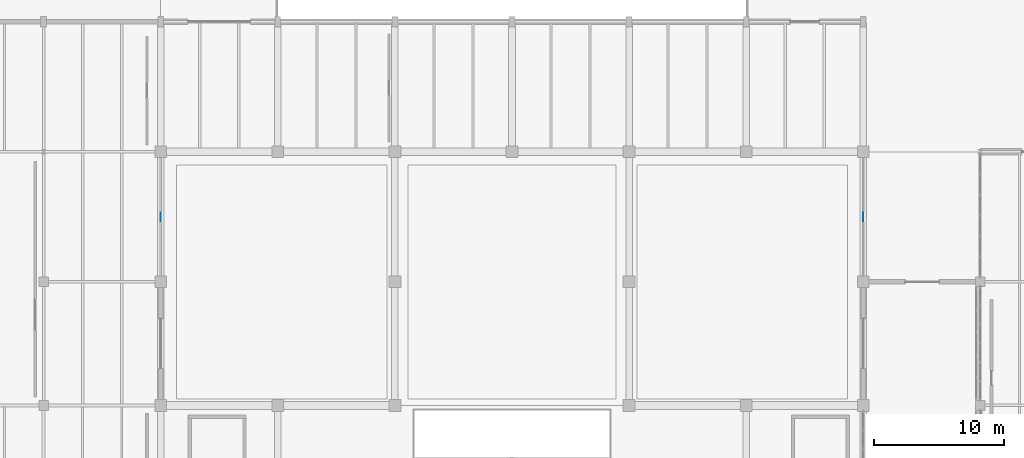
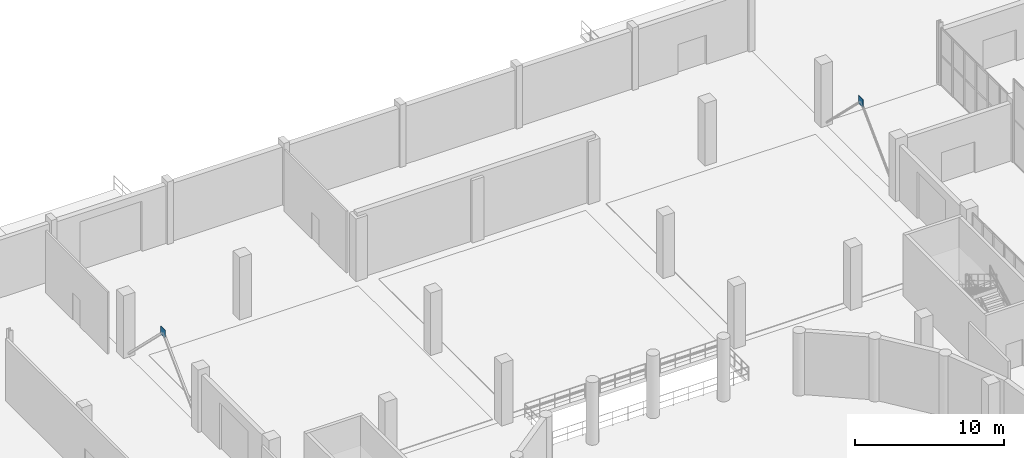
# One storey, part 80 of 103: 2 plates.
"""IFC4 building model written with IfcOpenShell, lengths in metres."""

import ifcopenshell
import ifcopenshell.guid

model = None  # the IFC model being written
_history = None  # IfcOwnerHistory: only IFC2X3 demands one
_inside = {}  # id of a spatial element -> (the spatial element, [elements in it])
_under = {}  # id of a project, library or spatial element -> (it, [spatial elements below it])
_declared = {}  # id of a project -> (the project, [libraries it declares])
_typed = {}  # id of a type object -> (the type object, [elements of that type])
_made_of = {}  # id of a material, layer set ... -> (it, [elements and type objects made of it])


def new_model(schema):
    """Start an empty IFC model of exactly this schema.

    Asked for "IFC4X3", IfcOpenShell would pick the latest addendum, in which some entities
    have other attributes; the version numbers below select the first issue.
    IFC2X3 requires an IfcOwnerHistory on every rooted entity: one is made here for all.
    """
    global model, _history
    if schema == "IFC4X3":
        model = ifcopenshell.file(schema_version=(4, 3, 0, 0))
    else:
        model = ifcopenshell.file(schema=schema)
    _inside.clear()
    _under.clear()
    _declared.clear()
    _typed.clear()
    _made_of.clear()
    _history = None
    if model.schema == "IFC2X3":
        org = make("IfcOrganization", Name="unknown")
        user = make(
            "IfcPersonAndOrganization",
            ThePerson=make("IfcPerson", FamilyName="unknown"),
            TheOrganization=org,
        )
        app = make(
            "IfcApplication",
            ApplicationDeveloper=org,
            Version="unknown",
            ApplicationFullName="unknown",
            ApplicationIdentifier="unknown",
        )
        _history = make(
            "IfcOwnerHistory",
            OwningUser=user,
            OwningApplication=app,
            ChangeAction="ADDED",
            CreationDate=0,
        )
    return model


def make(cls, **values):
    """One entity of the class cls with the attributes given. An attribute that is None is left unset."""
    return model.create_entity(
        cls, **{name: value for name, value in values.items() if value is not None}
    )


def rooted(cls, **values):
    """An entity with a GlobalId (a new one), such as an element, a storey or a relation."""
    return make(cls, GlobalId=ifcopenshell.guid.new(), OwnerHistory=_history, **values)


def si_unit(unit_type, name, prefix=None):
    """IfcSIUnit, for example si_unit("LENGTHUNIT", "METRE", prefix="MILLI")."""
    return make("IfcSIUnit", UnitType=unit_type, Prefix=prefix, Name=name)


def assignment(units):
    """IfcUnitAssignment: the units of a project."""
    return None if units is None else make("IfcUnitAssignment", Units=units)


def point(xyz):
    """IfcCartesianPoint."""
    return None if xyz is None else make("IfcCartesianPoint", Coordinates=xyz)


def direction(xyz):
    """IfcDirection."""
    return None if xyz is None else make("IfcDirection", DirectionRatios=xyz)


def frame(location, z_axis=None, x_axis=None):
    """IfcAxis2Placement3D, a coordinate frame: its origin and axes. An axis left out is left unset."""
    return make(
        "IfcAxis2Placement3D",
        Location=point(location),
        Axis=direction(z_axis),
        RefDirection=direction(x_axis),
    )


def frame_2d(location, x_axis=None):
    """IfcAxis2Placement2D, a coordinate frame in the plane: its origin and x axis."""
    return make(
        "IfcAxis2Placement2D", Location=point(location), RefDirection=direction(x_axis)
    )


def origin():
    """The frame at (0, 0, 0) with its axes left unset."""
    return frame((0.0, 0.0, 0.0))


def origin_2d():
    """The frame at (0, 0) in the plane with its x axis left unset."""
    return frame_2d((0.0, 0.0))


def place(relative_to, where):
    """IfcLocalPlacement: puts the frame where relative to a parent placement (None: the world)."""
    return make(
        "IfcLocalPlacement", PlacementRelTo=relative_to, RelativePlacement=where
    )


def context(
    kind, dimensions, precision=None, world=None, true_north=None, identifier=None
):
    """IfcGeometricRepresentationContext, for example the 3D "Model" context."""
    return make(
        "IfcGeometricRepresentationContext",
        ContextIdentifier=identifier,
        ContextType=kind,
        CoordinateSpaceDimension=dimensions,
        Precision=precision,
        WorldCoordinateSystem=world,
        TrueNorth=true_north,
    )


def subcontext(parent, identifier, kind, view, scale=None):
    """IfcGeometricRepresentationSubContext, for example "Body" below "Model"."""
    return make(
        "IfcGeometricRepresentationSubContext",
        ContextIdentifier=identifier,
        ContextType=kind,
        ParentContext=parent,
        TargetScale=scale,
        TargetView=view,
    )


def project(units=None, contexts=None):
    """IfcProject with its units and contexts."""
    return rooted(
        "IfcProject",
        Name="project",
        RepresentationContexts=contexts,
        UnitsInContext=assignment(units),
    )


def spatial(cls, under=None, at=None, **own):
    """A site, building, storey or space (cls), placed at a placement, below another one or the project."""
    s = rooted(cls, ObjectPlacement=at, **own)
    if under is not None:
        _under.setdefault(under.id(), (under, []))[1].append(s)
    return s


def profile(cls, at=None, kind="AREA", **sizes):
    """A parametric profile (cls). Its sizes go by their IFC names, for example OverallWidth=200.0."""
    return make(cls, ProfileType=kind, Position=at, **sizes)


def rectangle(**sizes):
    """IfcRectangleProfileDef."""
    return profile("IfcRectangleProfileDef", **sizes)


def extrude(swept, where, along, depth):
    """IfcExtrudedAreaSolid: the profile swept, set in the frame where, extruded along a direction by depth."""
    return make(
        "IfcExtrudedAreaSolid",
        SweptArea=swept,
        Position=where,
        ExtrudedDirection=direction(along),
        Depth=depth,
    )


def shape(context_of_items, identifier, shape_type, items):
    """IfcShapeRepresentation: the items that make up one representation, for example the "Body"."""
    return make(
        "IfcShapeRepresentation",
        ContextOfItems=context_of_items,
        RepresentationIdentifier=identifier,
        RepresentationType=shape_type,
        Items=items,
    )


def material(Name=None, Category=None):
    """IfcMaterial."""
    return make("IfcMaterial", Name=Name, Category=Category)


def layer(
    of_material, thickness, ventilated=None, Name=None, Category=None, Priority=None
):
    """IfcMaterialLayer: one layer of a wall or slab, of a material (None: an air gap)."""
    return make(
        "IfcMaterialLayer",
        Material=of_material,
        LayerThickness=thickness,
        IsVentilated=ventilated,
        Name=Name,
        Category=Category,
        Priority=Priority,
    )


def layer_set(layers, Name=None):
    """IfcMaterialLayerSet."""
    return make("IfcMaterialLayerSet", MaterialLayers=layers, LayerSetName=Name)


def made_of(thing, what):
    """Note that an element or type object is made of a material, layer set ...; save() writes the relation."""
    if what is not None:
        _made_of.setdefault(what.id(), (what, []))[1].append(thing)
    return thing


def type_object(cls, material=None, **own):
    """A type object (cls), such as IfcWallType, which elements share."""
    return made_of(rooted(cls, **own), material)


def element(
    cls,
    number,
    at=None,
    inside=None,
    cuts=None,
    type_object=None,
    material=None,
    context=None,
    identifier="Body",
    shape_type=None,
    held_by="IfcProductDefinitionShape",
    body=None,
    shapes=None,
    **own,
):
    """One element of the class cls, such as IfcWall. Its Tag is "e" and its number.

    at: its placement. inside: the storey or other place that contains it. cuts: it is an
    opening in that element (IfcRelVoidsElement). A single representation is given by context,
    identifier, shape_type and body (its items); several are given by shapes. held_by: the class
    of the entity that holds the representations. save() writes the other relations.
    """
    e = rooted(cls, Tag="e%d" % number, ObjectPlacement=at, **own)
    if body is not None:
        shapes = [shape(context, identifier, shape_type, body)]
    if shapes is not None:
        e.Representation = make(held_by, Representations=shapes)
    if inside is not None:
        _inside.setdefault(inside.id(), (inside, []))[1].append(e)
    if cuts is not None:
        rooted(
            "IfcRelVoidsElement", RelatingBuildingElement=cuts, RelatedOpeningElement=e
        )
    if type_object is not None:
        _typed.setdefault(type_object.id(), (type_object, []))[1].append(e)
    return made_of(e, material)


def aggregate(whole, parts):
    """IfcRelAggregates: a whole, such as a stair, and the parts it consists of."""
    return rooted("IfcRelAggregates", RelatingObject=whole, RelatedObjects=parts)


def save(model, path):
    """Write the relations noted so far, then the file.

    IfcRelAggregates (storeys below a building ...), IfcRelContainedInSpatialStructure (elements
    in a storey), IfcRelDefinesByType, IfcRelAssociatesMaterial and IfcRelDeclares: one each for
    every whole, place, type object, material and project.
    """
    for whole, parts in _under.values():
        aggregate(whole, parts)
    for where, things in _inside.values():
        rooted(
            "IfcRelContainedInSpatialStructure",
            RelatedElements=things,
            RelatingStructure=where,
        )
    for kind, things in _typed.values():
        rooted("IfcRelDefinesByType", RelatedObjects=things, RelatingType=kind)
    for what, things in _made_of.values():
        rooted("IfcRelAssociatesMaterial", RelatedObjects=things, RelatingMaterial=what)
    for by, libraries in _declared.values():
        rooted("IfcRelDeclares", RelatingContext=by, RelatedDefinitions=libraries)
    model.write(path)


model = new_model("IFC4")

# Units and contexts
model_context = context("Model", 3, precision=1e-05, world=origin(), true_north=direction((0.0, 1.0)))
body_context = subcontext(model_context, "Body", "Model", "MODEL_VIEW")
ifc_project = project(units=[si_unit("LENGTHUNIT", "METRE"), si_unit("AREAUNIT", "SQUARE_METRE"), si_unit("VOLUMEUNIT", "CUBIC_METRE"), si_unit("PLANEANGLEUNIT", "RADIAN"), si_unit("MASSUNIT", "GRAM", prefix="KILO")], contexts=[model_context])

# Site, building, storey
site_placement = place(None, origin())
site = spatial("IfcSite", under=ifc_project, at=site_placement, CompositionType="ELEMENT")
building_placement = place(site_placement, origin())
building = spatial("IfcBuilding", under=site, at=building_placement, Name="Marnock Terrace Opera House", CompositionType="ELEMENT")
storey_placement = place(building_placement, origin())
storey = spatial("IfcBuildingStorey", under=building, at=storey_placement, Name="L00", CompositionType="ELEMENT", Elevation=0.0)

# Plates
ifc_material = material(Name="Steel Grade 350 (AS/NZS 3679.1)", Category="steel")
ifc_layer = layer(ifc_material, 0.02490234375)
ifc_layer_set = layer_set([ifc_layer], Name="Steel Grade 350 (AS/NZS 3679.1)")
plate_type = type_object("IfcPlateType", Name="PLT-GUSSET-25", PredefinedType="SHEET", material=ifc_layer_set)
for number, where, z_axis, x_axis, name in (
    (1, (55.0, 99.0, 4.43505859375), (0.0, 0.0, 1.0), (0.0, 1.0, 0.0), "L00 chevron brace gusset plate BN-9"),
    (2, (109.0, 99.0, 4.43505859375), (0.0, 0.0, 1.0), (0.0, 1.0, 0.0), "L00 chevron brace gusset plate BN-11"),
):
    element("IfcPlate", number, at=place(storey_placement, frame(where, z_axis=z_axis, x_axis=x_axis)), inside=storey, type_object=plate_type, Name=name, PredefinedType="SHEET", context=body_context, shape_type="SweptSolid", body=[
        extrude(rectangle(XDim=0.64990234375, YDim=0.02490234375, at=origin_2d()), origin(), (0.0, 0.0, 1.0), 0.64990234375),
    ])

save(model, "model.ifc")
